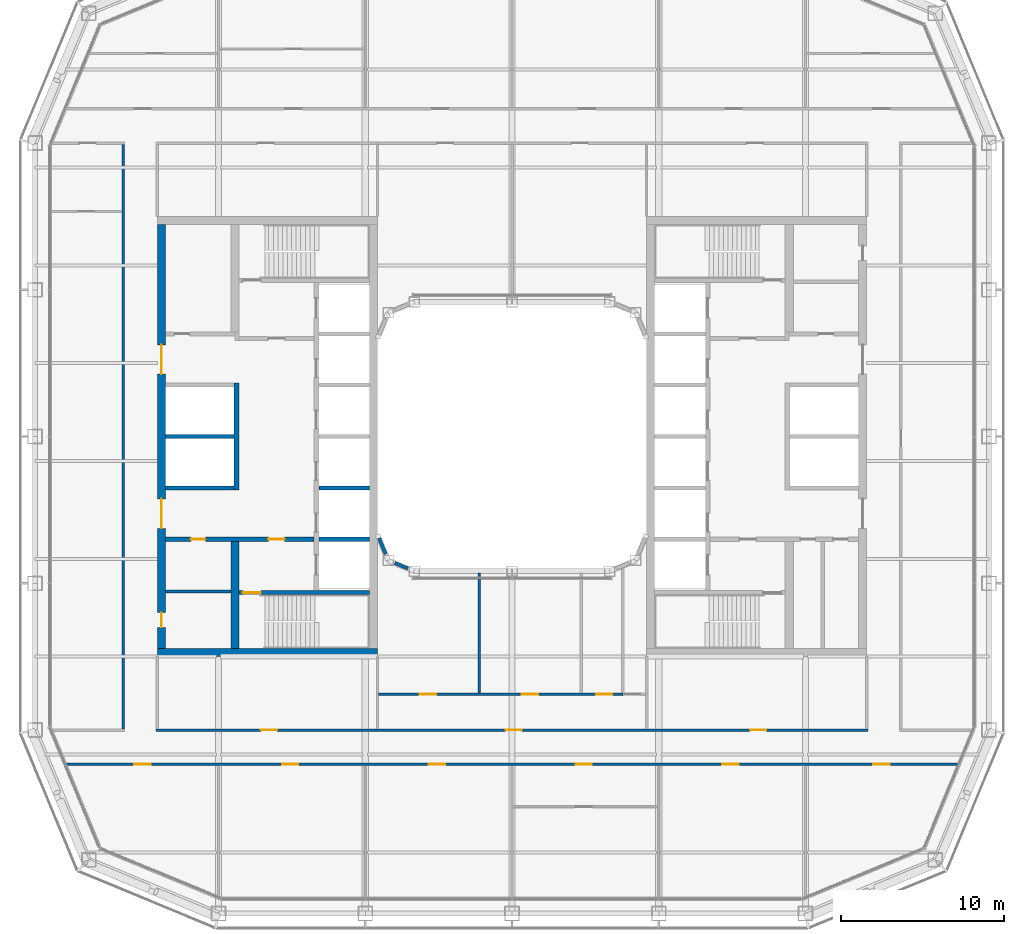
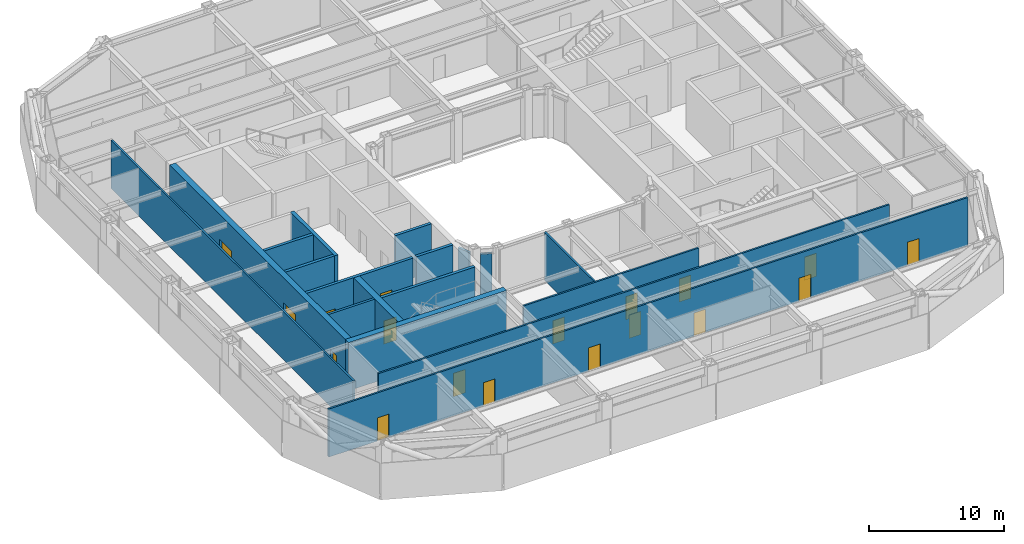
# One storey, part 11 of 21: 18 doors, 18 walls, 18 openings.
"""IFC4 building model written with IfcOpenShell, lengths in metres."""

from ifc_helpers import new_model, si_unit, direction, frame, frame_2d, origin, place, context, subcontext, project, spatial, rectangle, extrude, material, layer, layer_set, type_object, element, fill, save


model = new_model("IFC4")

# Units and contexts
model_context = context("Model", 3, precision=1e-05, world=origin(), true_north=direction((0.0, 1.0)))
body_context = subcontext(model_context, "Body", "Model", "MODEL_VIEW")
ifc_project = project(units=[si_unit("LENGTHUNIT", "METRE"), si_unit("AREAUNIT", "SQUARE_METRE"), si_unit("VOLUMEUNIT", "CUBIC_METRE"), si_unit("PLANEANGLEUNIT", "RADIAN"), si_unit("MASSUNIT", "GRAM", prefix="KILO")], contexts=[model_context])

# Site, building, storey
site_placement = place(None, origin())
site = spatial("IfcSite", under=ifc_project, at=site_placement, CompositionType="ELEMENT")
building_placement = place(site_placement, origin())
building = spatial("IfcBuilding", under=site, at=building_placement, Name="Siwar Civic Tower", CompositionType="ELEMENT")
storey_placement = place(building_placement, frame((0.0, 0.0, 158.699951171875)))
storey = spatial("IfcBuildingStorey", under=building, at=storey_placement, Name="L34", CompositionType="ELEMENT", Elevation=158.699951171875)

# Wall
ifc_material_1 = material(Name="Gypsum board on steel studs", Category="steel")
ifc_layer_1 = layer(ifc_material_1, 0.199951171875)
ifc_layer_set_1 = layer_set([ifc_layer_1], Name="Gypsum board on steel studs")
wall_type_1 = type_object("IfcWallType", Name="CORE-PARTITION-200", PredefinedType="PARTITIONING", material=ifc_layer_set_1)
wall_1_placement = place(storey_placement, frame((-17.25, -9.5, 0.0), z_axis=(0.0, 0.0, 1.0), x_axis=(-1.0, 0.0, 0.0)))
element("IfcWall", 1, at=wall_1_placement, inside=storey, type_object=wall_type_1, Name="Core partition W", PredefinedType="PARTITIONING", context=body_context, shape_type="SweptSolid", body=[
    extrude(rectangle(XDim=4.0, YDim=0.199951171875, at=frame_2d((2.0, 0.0))), origin(), (0.0, 0.0, 1.0), 4.35009765625),
])

# Wall, openings, doors
ifc_material_2 = material(Name="Concrete C60/75", Category="concrete")
ifc_layer_2 = layer(ifc_material_2, 0.25)
ifc_layer_set_2 = layer_set([ifc_layer_2], Name="Concrete C60/75")
wall_type_2 = type_object("IfcWallType", Name="CORE-WALL-RC250", PredefinedType="SHEAR", material=ifc_layer_set_2)
wall_2_placement = place(storey_placement, frame((-12.14990234375, -6.300048828125, 0.0), z_axis=(0.0, 0.0, 1.0), x_axis=(-1.0, 0.0, 0.0)))
wall_2 = element("IfcWall", 2, at=wall_2_placement, inside=storey, type_object=wall_type_2, Name="Core wall W", PredefinedType="SHEAR", context=body_context, shape_type="SweptSolid", body=[
    extrude(rectangle(XDim=9.10009765625, YDim=0.25, at=frame_2d((4.550048828125, 0.0))), origin(), (0.0, 0.0, 1.0), 4.35009765625),
])
opening_1_placement = place(wall_2_placement, frame((1.800048828125, 0.0, 0.0)))
opening_1 = element("IfcOpeningElement", 3, at=opening_1_placement, cuts=wall_2, Name="Opening L34-CW02", PredefinedType="OPENING", context=body_context, shape_type="SweptSolid", body=[
    extrude(rectangle(XDim=1.0, YDim=2.10009765625, at=frame_2d((0.5, 1.050048828125))), frame((0.0, 0.135009765625, 0.0), z_axis=(0.0, -1.0, 0.0), x_axis=(1.0, 0.0, 0.0)), (0.0, 0.0, 1.0), 0.27001953125),
])
opening_2_placement = place(wall_2_placement, frame((6.64990234375, 0.0, 0.0)))
opening_2 = element("IfcOpeningElement", 4, at=opening_2_placement, cuts=wall_2, Name="Opening L34-CW14", PredefinedType="OPENING", context=body_context, shape_type="SweptSolid", body=[
    extrude(rectangle(XDim=0.89990234375, YDim=2.10009765625, at=frame_2d((0.449951171875, 1.050048828125))), frame((0.0, 0.135009765625, 0.0), z_axis=(0.0, -1.0, 0.0), x_axis=(1.0, 0.0, 0.0)), (0.0, 0.0, 1.0), 0.27001953125),
])
ifc_material_3 = material(Name="Steel door leaf", Category="steel")
door_type_1 = type_object("IfcDoorType", Name="CORE-DOOR-FD30S", OperationType="SINGLE_SWING_LEFT", PredefinedType="DOOR", material=ifc_material_3)
door_1_placement = place(opening_1_placement, origin())
door_1 = element("IfcDoor", 5, at=door_1_placement, inside=storey, type_object=door_type_1, Name="Service lobby door L34-CW02", OperationType="SINGLE_SWING_RIGHT", OverallHeight=2.10009765625, OverallWidth=1.0, PredefinedType="DOOR", context=body_context, shape_type="SweptSolid", body=[
    extrude(rectangle(XDim=1.0, YDim=2.10009765625, at=frame_2d((0.5, 1.050048828125))), frame((0.0, 0.02490234375, 0.0), z_axis=(0.0, -1.0, 0.0), x_axis=(1.0, 0.0, 0.0)), (0.0, 0.0, 1.0), 0.050048828125),
])
fill(opening_1, door_1)
ifc_material_4 = material(Name="Steel door leaf", Category="steel")
door_type_2 = type_object("IfcDoorType", Name="CORE-DOOR-ROOM", OperationType="SINGLE_SWING_LEFT", PredefinedType="DOOR", material=ifc_material_4)
door_2_placement = place(opening_2_placement, origin())
door_2 = element("IfcDoor", 6, at=door_2_placement, inside=storey, type_object=door_type_2, Name="Core room door L34-CW14", OperationType="SINGLE_SWING_RIGHT", OverallHeight=2.10009765625, OverallWidth=0.89990234375, PredefinedType="DOOR", context=body_context, shape_type="SweptSolid", body=[
    extrude(rectangle(XDim=0.89990234375, YDim=2.10009765625, at=frame_2d((0.449951171875, 1.050048828125))), frame((0.0, 0.02490234375, 0.0), z_axis=(0.0, -1.0, 0.0), x_axis=(1.0, 0.0, 0.0)), (0.0, 0.0, 1.0), 0.050048828125),
])
fill(opening_2, door_2)

# Walls
for number, where, z_axis, x_axis, name in (
    (7, (-17.050048828125, 0.0, 0.0), (0.0, 0.0, 1.0), (-1.0, 0.0, 0.0), "Core wall W"),
    (8, (-17.050048828125, -3.14990234375, 0.0), (0.0, 0.0, 1.0), (-1.0, 0.0, 0.0), "Core wall W"),
):
    element("IfcWall", number, at=place(storey_placement, frame(where, z_axis=z_axis, x_axis=x_axis)), inside=storey, type_object=wall_type_2, Name=name, PredefinedType="SHEAR", context=body_context, shape_type="SweptSolid", body=[
        extrude(rectangle(XDim=4.199951171875, YDim=0.25, at=frame_2d((2.10009765625, 0.0))), origin(), (0.0, 0.0, 1.0), 4.35009765625),
    ])
for number, where, z_axis, x_axis, name in (
    (9, (-8.75, -3.14990234375, 0.0), (0.0, 0.0, 1.0), (-1.0, 0.0, 0.0), "Core wall W"),
    (10, (-8.75, -6.300048828125, 0.0), (0.0, 0.0, 1.0), (-1.0, 0.0, 0.0), "Core wall W"),
):
    element("IfcWall", number, at=place(storey_placement, frame(where, z_axis=z_axis, x_axis=x_axis)), inside=storey, type_object=wall_type_2, Name=name, PredefinedType="SHEAR", context=body_context, shape_type="SweptSolid", body=[
        extrude(rectangle(XDim=3.10009765625, YDim=0.25, at=frame_2d((1.550048828125, 0.0))), origin(), (0.0, 0.0, 1.0), 4.35009765625),
    ])

# Wall, opening, door
wall_3_placement = place(storey_placement, frame((-8.75, -9.574951171875, 0.0), z_axis=(0.0, 0.0, 1.0), x_axis=(-1.0, 0.0, 0.0)))
wall_3 = element("IfcWall", 11, at=wall_3_placement, inside=storey, type_object=wall_type_2, Name="Core wall W", PredefinedType="SHEAR", context=body_context, shape_type="SweptSolid", body=[
    extrude(rectangle(XDim=8.0, YDim=0.25, at=frame_2d((4.0, 0.0))), origin(), (0.0, 0.0, 1.0), 4.35009765625),
])
opening_3_placement = place(wall_3_placement, frame((6.64990234375, 0.0, 0.0)))
opening_3 = element("IfcOpeningElement", 12, at=opening_3_placement, cuts=wall_3, Name="Opening L34-CW04", PredefinedType="OPENING", context=body_context, shape_type="SweptSolid", body=[
    extrude(rectangle(XDim=1.10009765625, YDim=2.10009765625, at=frame_2d((0.550048828125, 1.050048828125))), frame((0.0, 0.135009765625, 0.0), z_axis=(0.0, -1.0, 0.0), x_axis=(1.0, 0.0, 0.0)), (0.0, 0.0, 1.0), 0.27001953125),
])
ifc_material_5 = material(Name="Steel door leaf", Category="steel")
door_type_3 = type_object("IfcDoorType", Name="CORE-DOOR-FD60S", OperationType="SINGLE_SWING_LEFT", PredefinedType="DOOR", material=ifc_material_5)
door_3_placement = place(opening_3_placement, origin())
door_3 = element("IfcDoor", 13, at=door_3_placement, inside=storey, type_object=door_type_3, Name="Stair door L34-CW04", OperationType="SINGLE_SWING_LEFT", OverallHeight=2.10009765625, OverallWidth=1.10009765625, PredefinedType="DOOR", context=body_context, shape_type="SweptSolid", body=[
    extrude(rectangle(XDim=1.10009765625, YDim=2.10009765625, at=frame_2d((0.550048828125, 1.050048828125))), frame((0.0, 0.02490234375, 0.0), z_axis=(0.0, -1.0, 0.0), x_axis=(1.0, 0.0, 0.0)), (0.0, 0.0, 1.0), 0.050048828125),
])
fill(opening_3, door_3)

# Wall
ifc_material_6 = material(Name="Concrete C60/75", Category="concrete")
ifc_layer_3 = layer(ifc_material_6, 0.300048828125)
ifc_layer_set_3 = layer_set([ifc_layer_3], Name="Concrete C60/75")
wall_type_3 = type_object("IfcWallType", Name="CORE-WALL-RC300", PredefinedType="SHEAR", material=ifc_layer_set_3)
wall_4_placement = place(storey_placement, frame((-16.89990234375, -3.27490234375, 0.0), z_axis=(0.0, 0.0, 1.0), x_axis=(0.0, 1.0, 0.0)))
element("IfcWall", 14, at=wall_4_placement, inside=storey, type_object=wall_type_3, Name="Core wall W", PredefinedType="SHEAR", context=body_context, shape_type="SweptSolid", body=[
    extrude(rectangle(XDim=6.5498046875, YDim=0.300048828125, at=frame_2d((3.27490234375, 0.0))), origin(), (0.0, 0.0, 1.0), 4.35009765625),
])

# Wall, openings, doors
ifc_material_7 = material(Name="Concrete C60/75", Category="concrete")
ifc_layer_4 = layer(ifc_material_7, 0.5)
ifc_layer_set_4 = layer_set([ifc_layer_4], Name="Concrete C60/75")
wall_type_4 = type_object("IfcWallType", Name="CORE-WALL-RC500", PredefinedType="SHEAR", material=ifc_layer_set_4)
wall_5_placement = place(storey_placement, frame((-21.5, -13.0, 0.0), z_axis=(0.0, 0.0, 1.0), x_axis=(0.0, 1.0, 0.0)))
wall_5 = element("IfcWall", 15, at=wall_5_placement, inside=storey, type_object=wall_type_4, Name="Core wall W", PredefinedType="SHEAR", context=body_context, shape_type="SweptSolid", body=[
    extrude(rectangle(XDim=26.0, YDim=0.5, at=frame_2d((13.0, 0.0))), origin(), (0.0, 0.0, 1.0), 4.35009765625),
])
opening_4_placement = place(wall_5_placement, frame((16.824951171875, 0.0, 0.0)))
opening_4 = element("IfcOpeningElement", 16, at=opening_4_placement, cuts=wall_5, Name="Opening L34-CW05", PredefinedType="OPENING", context=body_context, shape_type="SweptSolid", body=[
    extrude(rectangle(XDim=1.800048828125, YDim=2.10009765625, at=frame_2d((0.89990234375, 1.050048828125))), frame((0.0, 0.260009765625, 0.0), z_axis=(0.0, -1.0, 0.0), x_axis=(1.0, 0.0, 0.0)), (0.0, 0.0, 1.0), 0.52001953125),
])
opening_5_placement = place(wall_5_placement, frame((7.375, 0.0, 0.0)))
opening_5 = element("IfcOpeningElement", 17, at=opening_5_placement, cuts=wall_5, Name="Opening L34-CW06", PredefinedType="OPENING", context=body_context, shape_type="SweptSolid", body=[
    extrude(rectangle(XDim=1.800048828125, YDim=2.10009765625, at=frame_2d((0.89990234375, 1.050048828125))), frame((0.0, 0.260009765625, 0.0), z_axis=(0.0, -1.0, 0.0), x_axis=(1.0, 0.0, 0.0)), (0.0, 0.0, 1.0), 0.52001953125),
])
opening_6_placement = place(wall_5_placement, frame((1.300048828125, 0.0, 0.0)))
opening_6 = element("IfcOpeningElement", 18, at=opening_6_placement, cuts=wall_5, Name="Opening L34-CW15", PredefinedType="OPENING", context=body_context, shape_type="SweptSolid", body=[
    extrude(rectangle(XDim=0.89990234375, YDim=2.10009765625, at=frame_2d((0.449951171875, 1.050048828125))), frame((0.0, 0.260009765625, 0.0), z_axis=(0.0, -1.0, 0.0), x_axis=(1.0, 0.0, 0.0)), (0.0, 0.0, 1.0), 0.52001953125),
])
ifc_material_8 = material(Name="Steel door leaf", Category="steel")
door_type_4 = type_object("IfcDoorType", Name="CORE-DOOR-PORT", OperationType="DOUBLE_DOOR_DOUBLE_SWING", PredefinedType="DOOR", material=ifc_material_8)
door_4_placement = place(opening_4_placement, origin())
door_4 = element("IfcDoor", 19, at=door_4_placement, inside=storey, type_object=door_type_4, Name="Core entrance door L34-CW05", OperationType="DOUBLE_DOOR_DOUBLE_SWING", OverallHeight=2.10009765625, OverallWidth=1.800048828125, PredefinedType="DOOR", context=body_context, shape_type="SweptSolid", body=[
    extrude(rectangle(XDim=1.800048828125, YDim=2.10009765625, at=frame_2d((0.89990234375, 1.050048828125))), frame((0.0, 0.02490234375, 0.0), z_axis=(0.0, -1.0, 0.0), x_axis=(1.0, 0.0, 0.0)), (0.0, 0.0, 1.0), 0.050048828125),
])
fill(opening_4, door_4)
door_5_placement = place(opening_5_placement, origin())
door_5 = element("IfcDoor", 20, at=door_5_placement, inside=storey, type_object=door_type_4, Name="Core entrance door L34-CW06", OperationType="DOUBLE_DOOR_DOUBLE_SWING", OverallHeight=2.10009765625, OverallWidth=1.800048828125, PredefinedType="DOOR", context=body_context, shape_type="SweptSolid", body=[
    extrude(rectangle(XDim=1.800048828125, YDim=2.10009765625, at=frame_2d((0.89990234375, 1.050048828125))), frame((0.0, 0.02490234375, 0.0), z_axis=(0.0, -1.0, 0.0), x_axis=(1.0, 0.0, 0.0)), (0.0, 0.0, 1.0), 0.050048828125),
])
fill(opening_5, door_5)
door_6_placement = place(opening_6_placement, origin())
door_6 = element("IfcDoor", 21, at=door_6_placement, inside=storey, type_object=door_type_2, Name="Core room door L34-CW15", OperationType="SINGLE_SWING_RIGHT", OverallHeight=2.10009765625, OverallWidth=0.89990234375, PredefinedType="DOOR", context=body_context, shape_type="SweptSolid", body=[
    extrude(rectangle(XDim=0.89990234375, YDim=2.10009765625, at=frame_2d((0.449951171875, 1.050048828125))), frame((0.0, 0.02490234375, 0.0), z_axis=(0.0, -1.0, 0.0), x_axis=(1.0, 0.0, 0.0)), (0.0, 0.0, 1.0), 0.050048828125),
])
fill(opening_6, door_6)

# Walls
wall_6_placement = place(storey_placement, frame((-17.0, -13.0, 0.0), z_axis=(0.0, 0.0, 1.0), x_axis=(0.0, 1.0, 0.0)))
element("IfcWall", 22, at=wall_6_placement, inside=storey, type_object=wall_type_4, Name="Core wall W", PredefinedType="SHEAR", context=body_context, shape_type="SweptSolid", body=[
    extrude(rectangle(XDim=6.574951171875, YDim=0.5, at=frame_2d((3.28759765625, 0.0))), origin(), (0.0, 0.0, 1.0), 4.35009765625),
])
wall_7_placement = place(storey_placement, frame((-8.25, -13.25, 0.0), z_axis=(0.0, 0.0, 1.0), x_axis=(-1.0, 0.0, 0.0)))
element("IfcWall", 23, at=wall_7_placement, inside=storey, type_object=wall_type_4, Name="Core wall W", PredefinedType="SHEAR", context=body_context, shape_type="SweptSolid", body=[
    extrude(rectangle(XDim=13.5, YDim=0.5, at=frame_2d((6.75, 0.0))), origin(), (0.0, 0.0, 1.0), 4.35009765625),
])

# Wall, openings, doors
ifc_material_9 = material(Name="Gypsum board on steel studs", Category="steel")
ifc_layer_5 = layer(ifc_material_9, 0.14990234375)
ifc_layer_set_5 = layer_set([ifc_layer_5], Name="Gypsum board on steel studs")
wall_type_5 = type_object("IfcWallType", Name="CORRIDOR PARTITION 150 EI 30", PredefinedType="PARTITIONING", material=ifc_layer_set_5)
wall_8_placement = place(storey_placement, frame((-27.30810546875, -20.10009765625, 0.0), z_axis=(0.0, 0.0, 1.0), x_axis=(1.0, 0.0, 0.0)))
wall_8 = element("IfcWall", 24, at=wall_8_placement, inside=storey, type_object=wall_type_5, Name="L34/wall/P02", PredefinedType="PARTITIONING", context=body_context, shape_type="SweptSolid", body=[
    extrude(rectangle(XDim=54.6162109375, YDim=0.14990234375, at=frame_2d((27.30810546875, 0.0))), origin(), (0.0, 0.0, 1.0), 4.35009765625),
])
opening_7_placement = place(wall_8_placement, frame((13.2080078125, 0.0, 0.0)))
opening_7 = element("IfcOpeningElement", 25, at=opening_7_placement, cuts=wall_8, Name="Opening D1", PredefinedType="OPENING", context=body_context, shape_type="SweptSolid", body=[
    extrude(rectangle(XDim=1.0, YDim=2.10009765625, at=frame_2d((0.5, 1.050048828125))), frame((0.0, 0.0849609375, 0.0), z_axis=(0.0, -1.0, 0.0), x_axis=(1.0, 0.0, 0.0)), (0.0, 0.0, 1.0), 0.169921875),
])
opening_8_placement = place(wall_8_placement, frame((22.2080078125, 0.0, 0.0)))
opening_8 = element("IfcOpeningElement", 26, at=opening_8_placement, cuts=wall_8, Name="Opening D1", PredefinedType="OPENING", context=body_context, shape_type="SweptSolid", body=[
    extrude(rectangle(XDim=1.0, YDim=2.10009765625, at=frame_2d((0.5, 1.050048828125))), frame((0.0, 0.0849609375, 0.0), z_axis=(0.0, -1.0, 0.0), x_axis=(1.0, 0.0, 0.0)), (0.0, 0.0, 1.0), 0.169921875),
])
opening_9_placement = place(wall_8_placement, frame((31.2080078125, 0.0, 0.0)))
opening_9 = element("IfcOpeningElement", 27, at=opening_9_placement, cuts=wall_8, Name="Opening D1", PredefinedType="OPENING", context=body_context, shape_type="SweptSolid", body=[
    extrude(rectangle(XDim=1.0, YDim=2.10009765625, at=frame_2d((0.5, 1.050048828125))), frame((0.0, 0.0849609375, 0.0), z_axis=(0.0, -1.0, 0.0), x_axis=(1.0, 0.0, 0.0)), (0.0, 0.0, 1.0), 0.169921875),
])
opening_10_placement = place(wall_8_placement, frame((40.2080078125, 0.0, 0.0)))
opening_10 = element("IfcOpeningElement", 28, at=opening_10_placement, cuts=wall_8, Name="Opening D1", PredefinedType="OPENING", context=body_context, shape_type="SweptSolid", body=[
    extrude(rectangle(XDim=1.0, YDim=2.10009765625, at=frame_2d((0.5, 1.050048828125))), frame((0.0, 0.0849609375, 0.0), z_axis=(0.0, -1.0, 0.0), x_axis=(1.0, 0.0, 0.0)), (0.0, 0.0, 1.0), 0.169921875),
])
opening_11_placement = place(wall_8_placement, frame((4.14990234375, 0.0, 0.0)))
opening_11 = element("IfcOpeningElement", 29, at=opening_11_placement, cuts=wall_8, Name="Opening D1", PredefinedType="OPENING", context=body_context, shape_type="SweptSolid", body=[
    extrude(rectangle(XDim=1.0, YDim=2.10009765625, at=frame_2d((0.5, 1.050048828125))), frame((0.0, 0.0849609375, 0.0), z_axis=(0.0, -1.0, 0.0), x_axis=(1.0, 0.0, 0.0)), (0.0, 0.0, 1.0), 0.169921875),
])
opening_12_placement = place(wall_8_placement, frame((49.4580078125, 0.0, 0.0)))
opening_12 = element("IfcOpeningElement", 30, at=opening_12_placement, cuts=wall_8, Name="Opening D1", PredefinedType="OPENING", context=body_context, shape_type="SweptSolid", body=[
    extrude(rectangle(XDim=1.0, YDim=2.10009765625, at=frame_2d((0.5, 1.050048828125))), frame((0.0, 0.0849609375, 0.0), z_axis=(0.0, -1.0, 0.0), x_axis=(1.0, 0.0, 0.0)), (0.0, 0.0, 1.0), 0.169921875),
])
ifc_material_10 = material(Name="Timber, painted", Category="wood")
door_type_5 = type_object("IfcDoorType", Name="DOOR 1000 X 2100 FD30", OperationType="SINGLE_SWING_LEFT", PredefinedType="DOOR", material=ifc_material_10)
door_7_placement = place(opening_7_placement, origin())
door_7 = element("IfcDoor", 31, at=door_7_placement, inside=storey, type_object=door_type_5, Name="L34-D06", OperationType="SINGLE_SWING_RIGHT", OverallHeight=2.10009765625, OverallWidth=1.0, PredefinedType="DOOR", context=body_context, shape_type="SweptSolid", body=[
    extrude(rectangle(XDim=1.0, YDim=2.10009765625, at=frame_2d((0.5, 1.050048828125))), frame((0.0, 0.02490234375, 0.0), z_axis=(0.0, -1.0, 0.0), x_axis=(1.0, 0.0, 0.0)), (0.0, 0.0, 1.0), 0.050048828125),
])
fill(opening_7, door_7)
door_8_placement = place(opening_8_placement, origin())
door_8 = element("IfcDoor", 32, at=door_8_placement, inside=storey, type_object=door_type_5, Name="L34-D07", OperationType="SINGLE_SWING_LEFT", OverallHeight=2.10009765625, OverallWidth=1.0, PredefinedType="DOOR", context=body_context, shape_type="SweptSolid", body=[
    extrude(rectangle(XDim=1.0, YDim=2.10009765625, at=frame_2d((0.5, 1.050048828125))), frame((0.0, 0.02490234375, 0.0), z_axis=(0.0, -1.0, 0.0), x_axis=(1.0, 0.0, 0.0)), (0.0, 0.0, 1.0), 0.050048828125),
])
fill(opening_8, door_8)
door_9_placement = place(opening_9_placement, origin())
door_9 = element("IfcDoor", 33, at=door_9_placement, inside=storey, type_object=door_type_5, Name="L34-D08", OperationType="SINGLE_SWING_RIGHT", OverallHeight=2.10009765625, OverallWidth=1.0, PredefinedType="DOOR", context=body_context, shape_type="SweptSolid", body=[
    extrude(rectangle(XDim=1.0, YDim=2.10009765625, at=frame_2d((0.5, 1.050048828125))), frame((0.0, 0.02490234375, 0.0), z_axis=(0.0, -1.0, 0.0), x_axis=(1.0, 0.0, 0.0)), (0.0, 0.0, 1.0), 0.050048828125),
])
fill(opening_9, door_9)
door_10_placement = place(opening_10_placement, origin())
door_10 = element("IfcDoor", 34, at=door_10_placement, inside=storey, type_object=door_type_5, Name="L34-D10", OperationType="SINGLE_SWING_RIGHT", OverallHeight=2.10009765625, OverallWidth=1.0, PredefinedType="DOOR", context=body_context, shape_type="SweptSolid", body=[
    extrude(rectangle(XDim=1.0, YDim=2.10009765625, at=frame_2d((0.5, 1.050048828125))), frame((0.0, 0.02490234375, 0.0), z_axis=(0.0, -1.0, 0.0), x_axis=(1.0, 0.0, 0.0)), (0.0, 0.0, 1.0), 0.050048828125),
])
fill(opening_10, door_10)
door_11_placement = place(opening_11_placement, origin())
door_11 = element("IfcDoor", 35, at=door_11_placement, inside=storey, type_object=door_type_5, Name="L34-D15", OperationType="SINGLE_SWING_LEFT", OverallHeight=2.10009765625, OverallWidth=1.0, PredefinedType="DOOR", context=body_context, shape_type="SweptSolid", body=[
    extrude(rectangle(XDim=1.0, YDim=2.10009765625, at=frame_2d((0.5, 1.050048828125))), frame((0.0, 0.02490234375, 0.0), z_axis=(0.0, -1.0, 0.0), x_axis=(1.0, 0.0, 0.0)), (0.0, 0.0, 1.0), 0.050048828125),
])
fill(opening_11, door_11)
door_12_placement = place(opening_12_placement, origin())
door_12 = element("IfcDoor", 36, at=door_12_placement, inside=storey, type_object=door_type_5, Name="L34-D16", OperationType="SINGLE_SWING_RIGHT", OverallHeight=2.10009765625, OverallWidth=1.0, PredefinedType="DOOR", context=body_context, shape_type="SweptSolid", body=[
    extrude(rectangle(XDim=1.0, YDim=2.10009765625, at=frame_2d((0.5, 1.050048828125))), frame((0.0, 0.02490234375, 0.0), z_axis=(0.0, -1.0, 0.0), x_axis=(1.0, 0.0, 0.0)), (0.0, 0.0, 1.0), 0.050048828125),
])
fill(opening_12, door_12)

wall_9_placement = place(storey_placement, frame((-21.824951171875, -18.0, 0.0), z_axis=(0.0, 0.0, 1.0), x_axis=(1.0, 0.0, 0.0)))
wall_9 = element("IfcWall", 37, at=wall_9_placement, inside=storey, type_object=wall_type_5, Name="L34/wall/P04", PredefinedType="PARTITIONING", context=body_context, shape_type="SweptSolid", body=[
    extrude(rectangle(XDim=43.64990234375, YDim=0.14990234375, at=frame_2d((21.824951171875, 0.0))), origin(), (0.0, 0.0, 1.0), 4.35009765625),
])
opening_13_placement = place(wall_9_placement, frame((21.425048828125, 0.0, 0.0)))
opening_13 = element("IfcOpeningElement", 38, at=opening_13_placement, cuts=wall_9, Name="Opening D1", PredefinedType="OPENING", context=body_context, shape_type="SweptSolid", body=[
    extrude(rectangle(XDim=1.0, YDim=2.10009765625, at=frame_2d((0.5, 1.050048828125))), frame((0.0, 0.0849609375, 0.0), z_axis=(0.0, -1.0, 0.0), x_axis=(1.0, 0.0, 0.0)), (0.0, 0.0, 1.0), 0.169921875),
])
opening_14_placement = place(wall_9_placement, frame((6.425048828125, 0.0, 0.0)))
opening_14 = element("IfcOpeningElement", 39, at=opening_14_placement, cuts=wall_9, Name="Opening D1", PredefinedType="OPENING", context=body_context, shape_type="SweptSolid", body=[
    extrude(rectangle(XDim=1.0, YDim=2.10009765625, at=frame_2d((0.5, 1.050048828125))), frame((0.0, 0.0849609375, 0.0), z_axis=(0.0, -1.0, 0.0), x_axis=(1.0, 0.0, 0.0)), (0.0, 0.0, 1.0), 0.169921875),
])
opening_15_placement = place(wall_9_placement, frame((36.425048828125, 0.0, 0.0)))
opening_15 = element("IfcOpeningElement", 40, at=opening_15_placement, cuts=wall_9, Name="Opening D1", PredefinedType="OPENING", context=body_context, shape_type="SweptSolid", body=[
    extrude(rectangle(XDim=1.0, YDim=2.10009765625, at=frame_2d((0.5, 1.050048828125))), frame((0.0, 0.0849609375, 0.0), z_axis=(0.0, -1.0, 0.0), x_axis=(1.0, 0.0, 0.0)), (0.0, 0.0, 1.0), 0.169921875),
])
door_13_placement = place(opening_13_placement, origin())
door_13 = element("IfcDoor", 41, at=door_13_placement, inside=storey, type_object=door_type_5, Name="L34-D19", OperationType="SINGLE_SWING_LEFT", OverallHeight=2.10009765625, OverallWidth=1.0, PredefinedType="DOOR", context=body_context, shape_type="SweptSolid", body=[
    extrude(rectangle(XDim=1.0, YDim=2.10009765625, at=frame_2d((0.5, 1.050048828125))), frame((0.0, 0.02490234375, 0.0), z_axis=(0.0, -1.0, 0.0), x_axis=(1.0, 0.0, 0.0)), (0.0, 0.0, 1.0), 0.050048828125),
])
fill(opening_13, door_13)
door_14_placement = place(opening_14_placement, origin())
door_14 = element("IfcDoor", 42, at=door_14_placement, inside=storey, type_object=door_type_5, Name="L34-D26", OperationType="SINGLE_SWING_RIGHT", OverallHeight=2.10009765625, OverallWidth=1.0, PredefinedType="DOOR", context=body_context, shape_type="SweptSolid", body=[
    extrude(rectangle(XDim=1.0, YDim=2.10009765625, at=frame_2d((0.5, 1.050048828125))), frame((0.0, 0.02490234375, 0.0), z_axis=(0.0, -1.0, 0.0), x_axis=(1.0, 0.0, 0.0)), (0.0, 0.0, 1.0), 0.050048828125),
])
fill(opening_14, door_14)
door_15_placement = place(opening_15_placement, origin())
door_15 = element("IfcDoor", 43, at=door_15_placement, inside=storey, type_object=door_type_5, Name="L34-D27", OperationType="SINGLE_SWING_LEFT", OverallHeight=2.10009765625, OverallWidth=1.0, PredefinedType="DOOR", context=body_context, shape_type="SweptSolid", body=[
    extrude(rectangle(XDim=1.0, YDim=2.10009765625, at=frame_2d((0.5, 1.050048828125))), frame((0.0, 0.02490234375, 0.0), z_axis=(0.0, -1.0, 0.0), x_axis=(1.0, 0.0, 0.0)), (0.0, 0.0, 1.0), 0.050048828125),
])
fill(opening_15, door_15)

wall_10_placement = place(storey_placement, frame((-8.175048828125, -15.800048828125, 0.0), z_axis=(0.0, 0.0, 1.0), x_axis=(1.0, 0.0, 0.0)))
wall_10 = element("IfcWall", 44, at=wall_10_placement, inside=storey, type_object=wall_type_5, Name="L34/wall/P06", PredefinedType="PARTITIONING", context=body_context, shape_type="SweptSolid", body=[
    extrude(rectangle(XDim=14.97509765625, YDim=0.14990234375, at=frame_2d((7.487548828125, 0.0))), origin(), (0.0, 0.0, 1.0), 4.35009765625),
])
opening_16_placement = place(wall_10_placement, frame((2.52490234375, 0.0, 0.0)))
opening_16 = element("IfcOpeningElement", 45, at=opening_16_placement, cuts=wall_10, Name="Opening D3", PredefinedType="OPENING", context=body_context, shape_type="SweptSolid", body=[
    extrude(rectangle(XDim=1.0, YDim=2.10009765625, at=frame_2d((0.5, 1.050048828125))), frame((0.0, 0.0849609375, 0.0), z_axis=(0.0, -1.0, 0.0), x_axis=(1.0, 0.0, 0.0)), (0.0, 0.0, 1.0), 0.169921875),
])
opening_17_placement = place(wall_10_placement, frame((8.77490234375, 0.0, 0.0)))
opening_17 = element("IfcOpeningElement", 46, at=opening_17_placement, cuts=wall_10, Name="Opening D3", PredefinedType="OPENING", context=body_context, shape_type="SweptSolid", body=[
    extrude(rectangle(XDim=1.0, YDim=2.10009765625, at=frame_2d((0.5, 1.050048828125))), frame((0.0, 0.0849609375, 0.0), z_axis=(0.0, -1.0, 0.0), x_axis=(1.0, 0.0, 0.0)), (0.0, 0.0, 1.0), 0.169921875),
])
opening_18_placement = place(wall_10_placement, frame((13.324951171875, 0.0, 0.0)))
opening_18 = element("IfcOpeningElement", 47, at=opening_18_placement, cuts=wall_10, Name="Opening D3", PredefinedType="OPENING", context=body_context, shape_type="SweptSolid", body=[
    extrude(rectangle(XDim=1.0, YDim=2.10009765625, at=frame_2d((0.5, 1.050048828125))), frame((0.0, 0.0849609375, 0.0), z_axis=(0.0, -1.0, 0.0), x_axis=(1.0, 0.0, 0.0)), (0.0, 0.0, 1.0), 0.169921875),
])
ifc_material_11 = material(Name="Timber, painted", Category="wood")
door_type_6 = type_object("IfcDoorType", Name="DOOR 1000 X 2100 WC", OperationType="SINGLE_SWING_LEFT", PredefinedType="DOOR", material=ifc_material_11)
door_16_placement = place(opening_16_placement, origin())
door_16 = element("IfcDoor", 48, at=door_16_placement, inside=storey, type_object=door_type_6, Name="L34-D20", OperationType="SINGLE_SWING_RIGHT", OverallHeight=2.10009765625, OverallWidth=1.0, PredefinedType="DOOR", context=body_context, shape_type="SweptSolid", body=[
    extrude(rectangle(XDim=1.0, YDim=2.10009765625, at=frame_2d((0.5, 1.050048828125))), frame((0.0, 0.02490234375, 0.0), z_axis=(0.0, -1.0, 0.0), x_axis=(1.0, 0.0, 0.0)), (0.0, 0.0, 1.0), 0.050048828125),
])
fill(opening_16, door_16)
door_17_placement = place(opening_17_placement, origin())
door_17 = element("IfcDoor", 49, at=door_17_placement, inside=storey, type_object=door_type_6, Name="L34-D21", OperationType="SINGLE_SWING_LEFT", OverallHeight=2.10009765625, OverallWidth=1.0, PredefinedType="DOOR", context=body_context, shape_type="SweptSolid", body=[
    extrude(rectangle(XDim=1.0, YDim=2.10009765625, at=frame_2d((0.5, 1.050048828125))), frame((0.0, 0.02490234375, 0.0), z_axis=(0.0, -1.0, 0.0), x_axis=(1.0, 0.0, 0.0)), (0.0, 0.0, 1.0), 0.050048828125),
])
fill(opening_17, door_17)
door_18_placement = place(opening_18_placement, origin())
door_18 = element("IfcDoor", 50, at=door_18_placement, inside=storey, type_object=door_type_6, Name="L34-D22", OperationType="SINGLE_SWING_RIGHT", OverallHeight=2.10009765625, OverallWidth=1.0, PredefinedType="DOOR", context=body_context, shape_type="SweptSolid", body=[
    extrude(rectangle(XDim=1.0, YDim=2.10009765625, at=frame_2d((0.5, 1.050048828125))), frame((0.0, 0.02490234375, 0.0), z_axis=(0.0, -1.0, 0.0), x_axis=(1.0, 0.0, 0.0)), (0.0, 0.0, 1.0), 0.050048828125),
])
fill(opening_18, door_18)

# Walls
wall_11_placement = place(storey_placement, frame((-23.85009765625, -17.925048828125, 0.0), z_axis=(0.0, 0.0, 1.0), x_axis=(0.0, 1.0, 0.0)))
element("IfcWall", 51, at=wall_11_placement, inside=storey, type_object=wall_type_5, Name="L34/wall/P18", PredefinedType="PARTITIONING", context=body_context, shape_type="SweptSolid", body=[
    extrude(rectangle(XDim=35.85009765625, YDim=0.14990234375, at=frame_2d((17.925048828125, 0.0))), origin(), (0.0, 0.0, 1.0), 4.35009765625),
])
wall_12_placement = place(storey_placement, frame((-2.0, -15.72509765625, 0.0), z_axis=(0.0, 0.0, 1.0), x_axis=(0.0, 1.0, 0.0)))
element("IfcWall", 52, at=wall_12_placement, inside=storey, type_object=wall_type_5, Name="L34/wall/P27", PredefinedType="PARTITIONING", context=body_context, shape_type="SweptSolid", body=[
    extrude(rectangle(XDim=7.35498046875, YDim=0.14990234375, at=frame_2d((3.677490234375, 0.0))), origin(), (0.0, 0.0, 1.0), 4.35009765625),
])
ifc_material_12 = material(Name="Aluminium clad insulated panel", Category="aluminium")
ifc_layer_6 = layer(ifc_material_12, 0.199951171875)
ifc_layer_set_6 = layer_set([ifc_layer_6], Name="Aluminium clad insulated panel")
wall_type_6 = type_object("IfcWallType", Name="ENV-WALL-WELL", PredefinedType="STANDARD", material=ifc_layer_set_6)
wall_13_placement = place(storey_placement, frame((-8.154296875, -6.23095703125, 0.0), z_axis=(0.0, 0.0, 1.0), x_axis=(0.382694858887, -0.923874799408, 0.0)))
element("IfcWall", 53, at=wall_13_placement, inside=storey, type_object=wall_type_6, Name="Light well corner wall SW1", PredefinedType="STANDARD", context=body_context, shape_type="SweptSolid", body=[
    extrude(rectangle(XDim=1.047607421875, YDim=0.199951171875, at=frame_2d((0.52392578125, 0.0))), origin(), (0.0, 0.0, 1.0), 3.825927734375),
])
wall_14_placement = place(storey_placement, frame((-7.19873046875, -7.75341796875, 0.0), z_axis=(0.0, 0.0, 1.0), x_axis=(0.923894108428, -0.382648241093, 0.0)))
element("IfcWall", 54, at=wall_14_placement, inside=storey, type_object=wall_type_6, Name="Light well corner wall SW2", PredefinedType="STANDARD", context=body_context, shape_type="SweptSolid", body=[
    extrude(rectangle(XDim=0.872802734375, YDim=0.199951171875, at=frame_2d((0.4365234375, 0.0))), origin(), (0.0, 0.0, 1.0), 3.825927734375),
])

save(model, "model.ifc")
